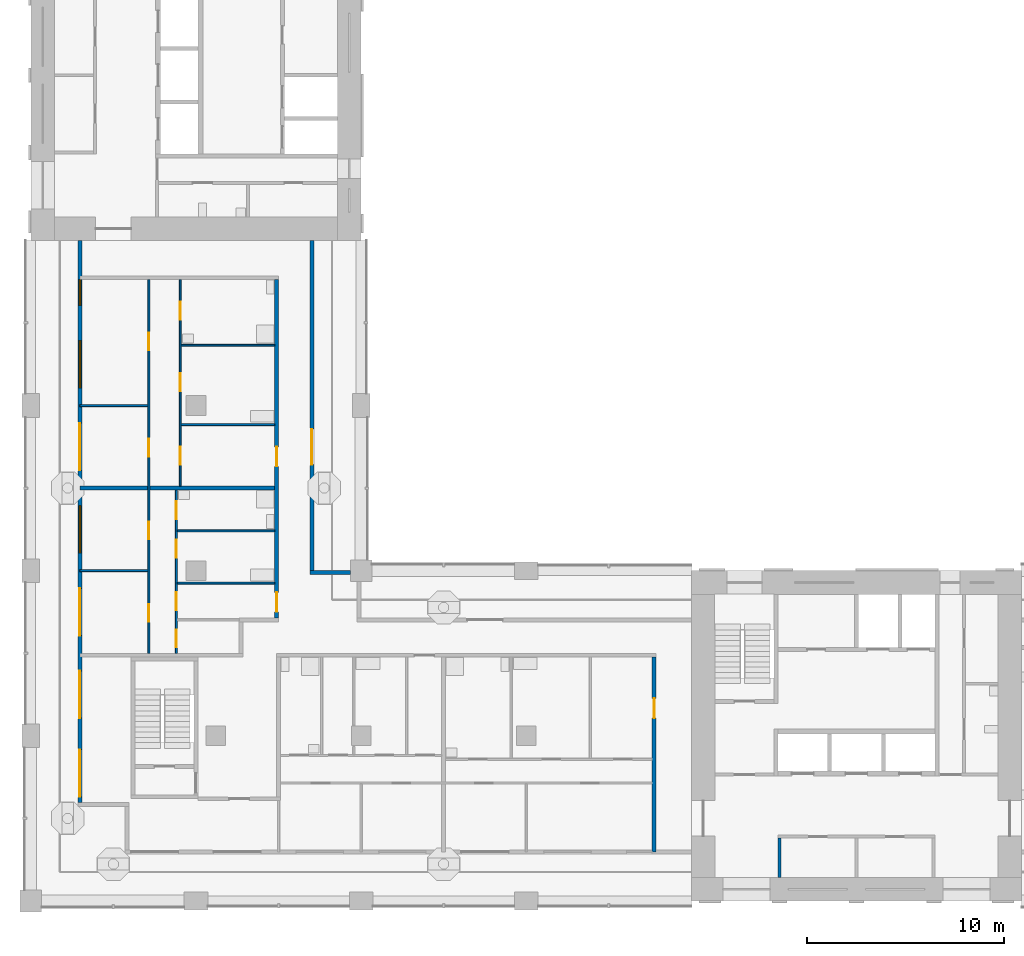
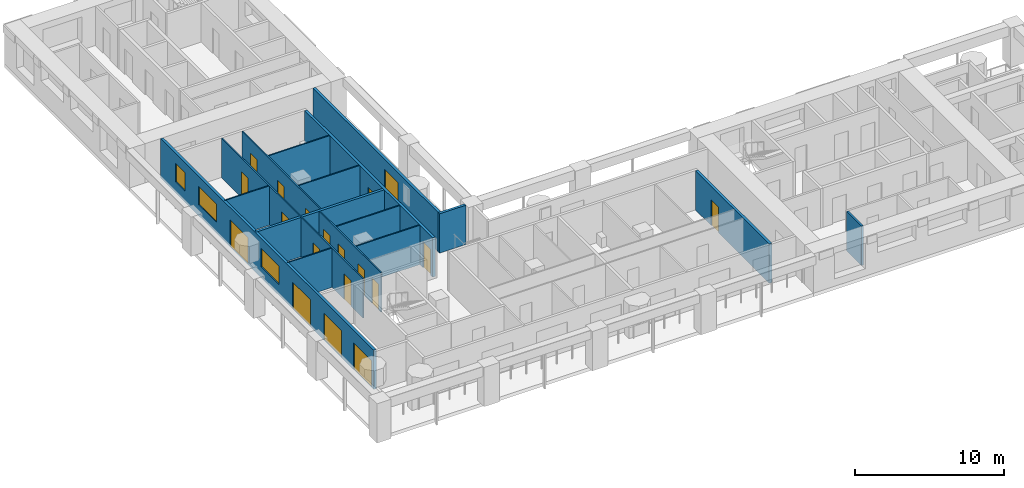
# One storey, part 3 of 13: 19 doors, 16 walls, 3 windows, 22 openings.
"""IFC4 building model written with IfcOpenShell, lengths in metres."""

from ifc_helpers import new_model, si_unit, direction, frame, frame_2d, origin, place, context, subcontext, project, spatial, rectangle, extrude, material, layer, layer_set, type_object, element, fill, save


model = new_model("IFC4")

# Units and contexts
model_context = context("Model", 3, precision=1e-05, world=origin(), true_north=direction((0.0, 1.0)))
body_context = subcontext(model_context, "Body", "Model", "MODEL_VIEW")
ifc_project = project(units=[si_unit("LENGTHUNIT", "METRE"), si_unit("AREAUNIT", "SQUARE_METRE"), si_unit("VOLUMEUNIT", "CUBIC_METRE"), si_unit("PLANEANGLEUNIT", "RADIAN"), si_unit("MASSUNIT", "GRAM", prefix="KILO")], contexts=[model_context])

# Site, building, storey
site_placement = place(None, origin())
site = spatial("IfcSite", under=ifc_project, at=site_placement, CompositionType="ELEMENT")
building_placement = place(site_placement, origin())
building = spatial("IfcBuilding", under=site, at=building_placement, Name="Vermilion Gate Residences", CompositionType="ELEMENT")
storey_placement = place(building_placement, frame((0.0, 0.0, 182.699951171875)))
storey = spatial("IfcBuildingStorey", under=building, at=storey_placement, Name="L47", CompositionType="ELEMENT", Elevation=182.699951171875)

# Wall
ifc_material_1 = material(Name="Masonry blockwork", Category="masonry")
ifc_layer_1 = layer(ifc_material_1, 0.14990234375)
ifc_layer_set_1 = layer_set([ifc_layer_1], Name="BLOCKWORK PARTITION 150 EI 120")
wall_type_1 = type_object("IfcWallType", Name="BLOCKWORK PARTITION 150 EI 120", PredefinedType="PARTITIONING", material=ifc_layer_set_1)
wall_1_placement = place(storey_placement, frame((46.47509765625, 9.60009765625, 0.0), z_axis=(0.0, 0.0, 1.0), x_axis=(0.0, 1.0, 0.0)))
element("IfcWall", 1, at=wall_1_placement, inside=storey, type_object=wall_type_1, Name="Core room partition A47-RW-W", PredefinedType="PARTITIONING", context=body_context, shape_type="SweptSolid", body=[
    extrude(rectangle(XDim=2.0, YDim=0.14990234375, at=frame_2d((1.0, 0.0))), origin(), (0.0, 0.0, 1.0), 3.219970703125),
])

# Wall, openings, doors, windows
ifc_material_2 = material(Name="Insulated steel stud wall with terracotta rainscreen", Category="masonry")
ifc_layer_2 = layer(ifc_material_2, 0.199951171875)
ifc_layer_set_2 = layer_set([ifc_layer_2], Name="EXTERNAL WALL 200 TERRACOTTA RAINSCREEN")
wall_type_2 = type_object("IfcWallType", Name="EXTERNAL WALL 200 TERRACOTTA RAINSCREEN", PredefinedType="SOLIDWALL", material=ifc_layer_set_2)
wall_2_placement = place(storey_placement, frame((10.89990234375, 42.0, 0.0), z_axis=(0.0, 0.0, 1.0), x_axis=(0.0, -1.0, 0.0)))
wall_2 = element("IfcWall", 2, at=wall_2_placement, inside=storey, type_object=wall_type_2, Name="External wall", PredefinedType="SOLIDWALL", context=body_context, shape_type="SweptSolid", body=[
    extrude(rectangle(XDim=28.60009765625, YDim=0.199951171875, at=frame_2d((14.300048828125, 0.0))), origin(), (0.0, 0.0, 1.0), 3.219970703125),
])
opening_1_placement = place(wall_2_placement, frame((25.89990234375, 0.0, 0.0)))
opening_1 = element("IfcOpeningElement", 3, at=opening_1_placement, cuts=wall_2, Name="Opening DE47001", PredefinedType="OPENING", context=body_context, shape_type="SweptSolid", body=[
    extrude(rectangle(XDim=2.39990234375, YDim=2.199951171875, at=frame_2d((1.199951171875, 1.10009765625))), frame((0.0, 0.10986328125, 0.0), z_axis=(0.0, -1.0, 0.0), x_axis=(1.0, 0.0, 0.0)), (0.0, 0.0, 1.0), 0.219970703125),
])
opening_2_placement = place(wall_2_placement, frame((21.89990234375, 0.0, 0.0)))
opening_2 = element("IfcOpeningElement", 4, at=opening_2_placement, cuts=wall_2, Name="Opening DE47002", PredefinedType="OPENING", context=body_context, shape_type="SweptSolid", body=[
    extrude(rectangle(XDim=2.39990234375, YDim=2.199951171875, at=frame_2d((1.199951171875, 1.10009765625))), frame((0.0, 0.10986328125, 0.0), z_axis=(0.0, -1.0, 0.0), x_axis=(1.0, 0.0, 0.0)), (0.0, 0.0, 1.0), 0.219970703125),
])
opening_3_placement = place(wall_2_placement, frame((17.699951171875, 0.0, 0.0)))
opening_3 = element("IfcOpeningElement", 5, at=opening_3_placement, cuts=wall_2, Name="Opening DE47003", PredefinedType="OPENING", context=body_context, shape_type="SweptSolid", body=[
    extrude(rectangle(XDim=2.39990234375, YDim=2.199951171875, at=frame_2d((1.199951171875, 1.10009765625))), frame((0.0, 0.10986328125, 0.0), z_axis=(0.0, -1.0, 0.0), x_axis=(1.0, 0.0, 0.0)), (0.0, 0.0, 1.0), 0.219970703125),
])
opening_4_placement = place(wall_2_placement, frame((13.5, 0.0, 0.89990234375)))
opening_4 = element("IfcOpeningElement", 6, at=opening_4_placement, cuts=wall_2, Name="Opening WE47004", PredefinedType="OPENING", context=body_context, shape_type="SweptSolid", body=[
    extrude(rectangle(XDim=2.39990234375, YDim=1.5, at=frame_2d((1.199951171875, 0.75))), frame((0.0, 0.10986328125, 0.0), z_axis=(0.0, -1.0, 0.0), x_axis=(1.0, 0.0, 0.0)), (0.0, 0.0, 1.0), 0.219970703125),
])
opening_5_placement = place(wall_2_placement, frame((9.300048828125, 0.0, 0.0)))
opening_5 = element("IfcOpeningElement", 7, at=opening_5_placement, cuts=wall_2, Name="Opening DE47005", PredefinedType="OPENING", context=body_context, shape_type="SweptSolid", body=[
    extrude(rectangle(XDim=2.39990234375, YDim=2.199951171875, at=frame_2d((1.199951171875, 1.10009765625))), frame((0.0, 0.10986328125, 0.0), z_axis=(0.0, -1.0, 0.0), x_axis=(1.0, 0.0, 0.0)), (0.0, 0.0, 1.0), 0.219970703125),
])
opening_6_placement = place(wall_2_placement, frame((5.10009765625, 0.0, 0.89990234375)))
opening_6 = element("IfcOpeningElement", 8, at=opening_6_placement, cuts=wall_2, Name="Opening WE47006", PredefinedType="OPENING", context=body_context, shape_type="SweptSolid", body=[
    extrude(rectangle(XDim=2.39990234375, YDim=1.5, at=frame_2d((1.199951171875, 0.75))), frame((0.0, 0.10986328125, 0.0), z_axis=(0.0, -1.0, 0.0), x_axis=(1.0, 0.0, 0.0)), (0.0, 0.0, 1.0), 0.219970703125),
])
opening_7_placement = place(wall_2_placement, frame((2.0, 0.0, 0.89990234375)))
opening_7 = element("IfcOpeningElement", 9, at=opening_7_placement, cuts=wall_2, Name="Opening WE47007", PredefinedType="OPENING", context=body_context, shape_type="SweptSolid", body=[
    extrude(rectangle(XDim=1.300048828125, YDim=1.5, at=frame_2d((0.64990234375, 0.75))), frame((0.0, 0.10986328125, 0.0), z_axis=(0.0, -1.0, 0.0), x_axis=(1.0, 0.0, 0.0)), (0.0, 0.0, 1.0), 0.219970703125),
])
ifc_material_3 = material(Name="Aluminium and clear glass", Category="aluminium")
door_type_1 = type_object("IfcDoorType", Name="SLIDING GLAZED DOOR 2400 X 2200", OperationType="DOUBLE_DOOR_SLIDING", PredefinedType="DOOR", material=ifc_material_3)
door_1_placement = place(opening_1_placement, origin())
door_1 = element("IfcDoor", 10, at=door_1_placement, inside=storey, type_object=door_type_1, Name="Loggia sliding door", OperationType="DOUBLE_DOOR_SLIDING", OverallHeight=2.199951171875, OverallWidth=2.39990234375, PredefinedType="DOOR", context=body_context, shape_type="SweptSolid", body=[
    extrude(rectangle(XDim=2.39990234375, YDim=2.199951171875, at=frame_2d((1.199951171875, 1.10009765625))), frame((0.0, 0.02490234375, 0.0), z_axis=(0.0, -1.0, 0.0), x_axis=(1.0, 0.0, 0.0)), (0.0, 0.0, 1.0), 0.050048828125),
])
fill(opening_1, door_1)
door_2_placement = place(opening_2_placement, origin())
door_2 = element("IfcDoor", 11, at=door_2_placement, inside=storey, type_object=door_type_1, Name="Loggia sliding door", OperationType="DOUBLE_DOOR_SLIDING", OverallHeight=2.199951171875, OverallWidth=2.39990234375, PredefinedType="DOOR", context=body_context, shape_type="SweptSolid", body=[
    extrude(rectangle(XDim=2.39990234375, YDim=2.199951171875, at=frame_2d((1.199951171875, 1.10009765625))), frame((0.0, 0.02490234375, 0.0), z_axis=(0.0, -1.0, 0.0), x_axis=(1.0, 0.0, 0.0)), (0.0, 0.0, 1.0), 0.050048828125),
])
fill(opening_2, door_2)
door_3_placement = place(opening_3_placement, origin())
door_3 = element("IfcDoor", 12, at=door_3_placement, inside=storey, type_object=door_type_1, Name="Loggia sliding door", OperationType="DOUBLE_DOOR_SLIDING", OverallHeight=2.199951171875, OverallWidth=2.39990234375, PredefinedType="DOOR", context=body_context, shape_type="SweptSolid", body=[
    extrude(rectangle(XDim=2.39990234375, YDim=2.199951171875, at=frame_2d((1.199951171875, 1.10009765625))), frame((0.0, 0.02490234375, 0.0), z_axis=(0.0, -1.0, 0.0), x_axis=(1.0, 0.0, 0.0)), (0.0, 0.0, 1.0), 0.050048828125),
])
fill(opening_3, door_3)
door_4_placement = place(opening_5_placement, origin())
door_4 = element("IfcDoor", 13, at=door_4_placement, inside=storey, type_object=door_type_1, Name="Loggia sliding door", OperationType="DOUBLE_DOOR_SLIDING", OverallHeight=2.199951171875, OverallWidth=2.39990234375, PredefinedType="DOOR", context=body_context, shape_type="SweptSolid", body=[
    extrude(rectangle(XDim=2.39990234375, YDim=2.199951171875, at=frame_2d((1.199951171875, 1.10009765625))), frame((0.0, 0.02490234375, 0.0), z_axis=(0.0, -1.0, 0.0), x_axis=(1.0, 0.0, 0.0)), (0.0, 0.0, 1.0), 0.050048828125),
])
fill(opening_5, door_4)
ifc_material_4 = material(Name="Aluminium and clear glass", Category="aluminium")
window_type_1 = type_object("IfcWindowType", Name="WINDOW 1300 X 1500", PartitioningType="SINGLE_PANEL", PredefinedType="WINDOW", material=ifc_material_4)
window_1_placement = place(opening_7_placement, origin())
window_1 = element("IfcWindow", 14, at=window_1_placement, inside=storey, type_object=window_type_1, Name="Window", OverallHeight=1.5, OverallWidth=1.300048828125, PartitioningType="SINGLE_PANEL", PredefinedType="WINDOW", context=body_context, shape_type="SweptSolid", body=[
    extrude(rectangle(XDim=1.300048828125, YDim=1.5, at=frame_2d((0.64990234375, 0.75))), frame((0.0, 0.030029296875, 0.0), z_axis=(0.0, -1.0, 0.0), x_axis=(1.0, 0.0, 0.0)), (0.0, 0.0, 1.0), 0.06005859375),
])
fill(opening_7, window_1)
ifc_material_5 = material(Name="Aluminium and clear glass", Category="aluminium")
window_type_2 = type_object("IfcWindowType", Name="WINDOW 2400 X 1500", PartitioningType="SINGLE_PANEL", PredefinedType="WINDOW", material=ifc_material_5)
window_2_placement = place(opening_4_placement, origin())
window_2 = element("IfcWindow", 15, at=window_2_placement, inside=storey, type_object=window_type_2, Name="Window", OverallHeight=1.5, OverallWidth=2.39990234375, PartitioningType="SINGLE_PANEL", PredefinedType="WINDOW", context=body_context, shape_type="SweptSolid", body=[
    extrude(rectangle(XDim=2.39990234375, YDim=1.5, at=frame_2d((1.199951171875, 0.75))), frame((0.0, 0.030029296875, 0.0), z_axis=(0.0, -1.0, 0.0), x_axis=(1.0, 0.0, 0.0)), (0.0, 0.0, 1.0), 0.06005859375),
])
fill(opening_4, window_2)
window_3_placement = place(opening_6_placement, origin())
window_3 = element("IfcWindow", 16, at=window_3_placement, inside=storey, type_object=window_type_2, Name="Window", OverallHeight=1.5, OverallWidth=2.39990234375, PartitioningType="SINGLE_PANEL", PredefinedType="WINDOW", context=body_context, shape_type="SweptSolid", body=[
    extrude(rectangle(XDim=2.39990234375, YDim=1.5, at=frame_2d((1.199951171875, 0.75))), frame((0.0, 0.030029296875, 0.0), z_axis=(0.0, -1.0, 0.0), x_axis=(1.0, 0.0, 0.0)), (0.0, 0.0, 1.0), 0.06005859375),
])
fill(opening_6, window_3)

# Wall
wall_3_placement = place(storey_placement, frame((24.64990234375, 25.10009765625, 0.0), z_axis=(0.0, 0.0, 1.0), x_axis=(-1.0, 0.0, 0.0)))
element("IfcWall", 17, at=wall_3_placement, inside=storey, type_object=wall_type_2, Name="External wall", PredefinedType="SOLIDWALL", context=body_context, shape_type="SweptSolid", body=[
    extrude(rectangle(XDim=2.0498046875, YDim=0.199951171875, at=frame_2d((1.02490234375, 0.0))), origin(), (0.0, 0.0, 1.0), 3.219970703125),
])

# Wall, opening, door
wall_4_placement = place(storey_placement, frame((22.699951171875, 25.199951171875, 0.0), z_axis=(0.0, 0.0, 1.0), x_axis=(0.0, 1.0, 0.0)))
wall_4 = element("IfcWall", 18, at=wall_4_placement, inside=storey, type_object=wall_type_2, Name="External wall", PredefinedType="SOLIDWALL", context=body_context, shape_type="SweptSolid", body=[
    extrude(rectangle(XDim=16.800048828125, YDim=0.199951171875, at=frame_2d((8.39990234375, 0.0))), origin(), (0.0, 0.0, 1.0), 3.219970703125),
])
opening_8_placement = place(wall_4_placement, frame((5.39990234375, 0.0, 0.0)))
opening_8 = element("IfcOpeningElement", 19, at=opening_8_placement, cuts=wall_4, Name="Opening DE47021", PredefinedType="OPENING", context=body_context, shape_type="SweptSolid", body=[
    extrude(rectangle(XDim=1.800048828125, YDim=2.39990234375, at=frame_2d((0.89990234375, 1.199951171875))), frame((0.0, 0.10986328125, 0.0), z_axis=(0.0, -1.0, 0.0), x_axis=(1.0, 0.0, 0.0)), (0.0, 0.0, 1.0), 0.219970703125),
])
ifc_material_6 = material(Name="Aluminium and clear glass", Category="aluminium")
door_type_2 = type_object("IfcDoorType", Name="GLAZED EXTERNAL DOOR 1800 X 2400", OperationType="DOUBLE_DOOR_SINGLE_SWING", PredefinedType="DOOR", material=ifc_material_6)
door_5_placement = place(opening_8_placement, frame((1.800048828125, 0.0, 0.0), z_axis=(0.0, 0.0, 1.0), x_axis=(-1.0, 0.0, 0.0)))
door_5 = element("IfcDoor", 20, at=door_5_placement, inside=storey, type_object=door_type_2, Name="Gallery door", OperationType="DOUBLE_DOOR_SINGLE_SWING", OverallHeight=2.39990234375, OverallWidth=1.800048828125, PredefinedType="DOOR", context=body_context, shape_type="SweptSolid", body=[
    extrude(rectangle(XDim=1.800048828125, YDim=2.39990234375, at=frame_2d((0.89990234375, 1.199951171875))), frame((0.0, 0.02490234375, 0.0), z_axis=(0.0, -1.0, 0.0), x_axis=(1.0, 0.0, 0.0)), (0.0, 0.0, 1.0), 0.050048828125),
])
fill(opening_8, door_5)

# Walls
ifc_material_7 = material(Name="Plasterboard on steel studs", Category="steel")
ifc_layer_3 = layer(ifc_material_7, 0.10009765625)
ifc_layer_set_3 = layer_set([ifc_layer_3], Name="PARTITION 100")
wall_type_3 = type_object("IfcWallType", Name="PARTITION 100", PredefinedType="PARTITIONING", material=ifc_layer_set_3)
wall_5_placement = place(storey_placement, frame((15.85009765625, 24.56298828125, 0.0), z_axis=(0.0, 0.0, 1.0), x_axis=(1.0, 0.0, 0.0)))
element("IfcWall", 21, at=wall_5_placement, inside=storey, type_object=wall_type_3, Name="Partition", PredefinedType="PARTITIONING", context=body_context, shape_type="SweptSolid", body=[
    extrude(rectangle(XDim=4.949951171875, YDim=0.10009765625, at=frame_2d((2.47509765625, 0.0))), origin(), (0.0, 0.0, 1.0), 3.219970703125),
])
wall_6_placement = place(storey_placement, frame((10.89990234375, 25.199951171875, 0.0), z_axis=(0.0, 0.0, 1.0), x_axis=(1.0, 0.0, 0.0)))
element("IfcWall", 22, at=wall_6_placement, inside=storey, type_object=wall_type_3, Name="Partition", PredefinedType="PARTITIONING", context=body_context, shape_type="SweptSolid", body=[
    extrude(rectangle(XDim=3.4501953125, YDim=0.10009765625, at=frame_2d((1.72509765625, 0.0))), origin(), (0.0, 0.0, 1.0), 3.219970703125),
])
wall_7_placement = place(storey_placement, frame((15.85009765625, 27.22509765625, 0.0), z_axis=(0.0, 0.0, 1.0), x_axis=(1.0, 0.0, 0.0)))
element("IfcWall", 23, at=wall_7_placement, inside=storey, type_object=wall_type_3, Name="Partition", PredefinedType="PARTITIONING", context=body_context, shape_type="SweptSolid", body=[
    extrude(rectangle(XDim=4.949951171875, YDim=0.10009765625, at=frame_2d((2.47509765625, 0.0))), origin(), (0.0, 0.0, 1.0), 3.219970703125),
])
wall_8_placement = place(storey_placement, frame((16.050048828125, 32.633056640625, 0.0), z_axis=(0.0, 0.0, 1.0), x_axis=(1.0, 0.0, 0.0)))
element("IfcWall", 24, at=wall_8_placement, inside=storey, type_object=wall_type_3, Name="Partition", PredefinedType="PARTITIONING", context=body_context, shape_type="SweptSolid", body=[
    extrude(rectangle(XDim=4.75, YDim=0.10009765625, at=frame_2d((2.375, 0.0))), origin(), (0.0, 0.0, 1.0), 3.219970703125),
])
wall_9_placement = place(storey_placement, frame((10.89990234375, 33.60009765625, 0.0), z_axis=(0.0, 0.0, 1.0), x_axis=(1.0, 0.0, 0.0)))
element("IfcWall", 25, at=wall_9_placement, inside=storey, type_object=wall_type_3, Name="Partition", PredefinedType="PARTITIONING", context=body_context, shape_type="SweptSolid", body=[
    extrude(rectangle(XDim=3.4501953125, YDim=0.10009765625, at=frame_2d((1.72509765625, 0.0))), origin(), (0.0, 0.0, 1.0), 3.219970703125),
])
wall_10_placement = place(storey_placement, frame((16.050048828125, 36.6669921875, 0.0), z_axis=(0.0, 0.0, 1.0), x_axis=(1.0, 0.0, 0.0)))
element("IfcWall", 26, at=wall_10_placement, inside=storey, type_object=wall_type_3, Name="Partition", PredefinedType="PARTITIONING", context=body_context, shape_type="SweptSolid", body=[
    extrude(rectangle(XDim=4.75, YDim=0.10009765625, at=frame_2d((2.375, 0.0))), origin(), (0.0, 0.0, 1.0), 3.219970703125),
])

# Wall, openings, doors
wall_11_placement = place(storey_placement, frame((14.39990234375, 21.0, 0.0), z_axis=(0.0, 0.0, 1.0), x_axis=(0.0, 1.0, 0.0)))
wall_11 = element("IfcWall", 27, at=wall_11_placement, inside=storey, type_object=wall_type_3, Name="Partition", PredefinedType="PARTITIONING", context=body_context, shape_type="SweptSolid", body=[
    extrude(rectangle(XDim=19.0, YDim=0.10009765625, at=frame_2d((9.5, 0.0))), origin(), (0.0, 0.0, 1.0), 3.219970703125),
])
opening_9_placement = place(wall_11_placement, frame((1.60009765625, 0.0, 0.0)))
opening_9 = element("IfcOpeningElement", 28, at=opening_9_placement, cuts=wall_11, Name="Opening DA46014", PredefinedType="OPENING", context=body_context, shape_type="SweptSolid", body=[
    extrude(rectangle(XDim=0.89990234375, YDim=2.10009765625, at=frame_2d((0.449951171875, 1.050048828125))), frame((0.0, 0.06005859375, 0.0), z_axis=(0.0, -1.0, 0.0), x_axis=(1.0, 0.0, 0.0)), (0.0, 0.0, 1.0), 0.1201171875),
])
opening_10_placement = place(wall_11_placement, frame((5.800048828125, 0.0, 0.0)))
opening_10 = element("IfcOpeningElement", 29, at=opening_10_placement, cuts=wall_11, Name="Opening DA46015", PredefinedType="OPENING", context=body_context, shape_type="SweptSolid", body=[
    extrude(rectangle(XDim=0.89990234375, YDim=2.10009765625, at=frame_2d((0.449951171875, 1.050048828125))), frame((0.0, 0.06005859375, 0.0), z_axis=(0.0, -1.0, 0.0), x_axis=(1.0, 0.0, 0.0)), (0.0, 0.0, 1.0), 0.1201171875),
])
opening_11_placement = place(wall_11_placement, frame((10.0, 0.0, 0.0)))
opening_11 = element("IfcOpeningElement", 30, at=opening_11_placement, cuts=wall_11, Name="Opening DA46016", PredefinedType="OPENING", context=body_context, shape_type="SweptSolid", body=[
    extrude(rectangle(XDim=0.89990234375, YDim=2.10009765625, at=frame_2d((0.449951171875, 1.050048828125))), frame((0.0, 0.06005859375, 0.0), z_axis=(0.0, -1.0, 0.0), x_axis=(1.0, 0.0, 0.0)), (0.0, 0.0, 1.0), 0.1201171875),
])
opening_12_placement = place(wall_11_placement, frame((15.39990234375, 0.0, 0.0)))
opening_12 = element("IfcOpeningElement", 31, at=opening_12_placement, cuts=wall_11, Name="Opening DA46017", PredefinedType="OPENING", context=body_context, shape_type="SweptSolid", body=[
    extrude(rectangle(XDim=0.89990234375, YDim=2.10009765625, at=frame_2d((0.449951171875, 1.050048828125))), frame((0.0, 0.06005859375, 0.0), z_axis=(0.0, -1.0, 0.0), x_axis=(1.0, 0.0, 0.0)), (0.0, 0.0, 1.0), 0.1201171875),
])
ifc_material_8 = material(Name="Timber", Category="wood")
door_type_3 = type_object("IfcDoorType", Name="INTERIOR DOOR 900 X 2100", OperationType="SINGLE_SWING_LEFT", PredefinedType="DOOR", material=ifc_material_8)
door_6_placement = place(opening_9_placement, origin())
door_6 = element("IfcDoor", 32, at=door_6_placement, inside=storey, type_object=door_type_3, Name="Interior door", OperationType="SINGLE_SWING_LEFT", OverallHeight=2.10009765625, OverallWidth=0.89990234375, PredefinedType="DOOR", context=body_context, shape_type="SweptSolid", body=[
    extrude(rectangle(XDim=0.89990234375, YDim=2.10009765625, at=frame_2d((0.449951171875, 1.050048828125))), frame((0.0, 0.02490234375, 0.0), z_axis=(0.0, -1.0, 0.0), x_axis=(1.0, 0.0, 0.0)), (0.0, 0.0, 1.0), 0.050048828125),
])
fill(opening_9, door_6)
door_7_placement = place(opening_10_placement, origin())
door_7 = element("IfcDoor", 33, at=door_7_placement, inside=storey, type_object=door_type_3, Name="Interior door", OperationType="SINGLE_SWING_LEFT", OverallHeight=2.10009765625, OverallWidth=0.89990234375, PredefinedType="DOOR", context=body_context, shape_type="SweptSolid", body=[
    extrude(rectangle(XDim=0.89990234375, YDim=2.10009765625, at=frame_2d((0.449951171875, 1.050048828125))), frame((0.0, 0.02490234375, 0.0), z_axis=(0.0, -1.0, 0.0), x_axis=(1.0, 0.0, 0.0)), (0.0, 0.0, 1.0), 0.050048828125),
])
fill(opening_10, door_7)
door_8_placement = place(opening_11_placement, origin())
door_8 = element("IfcDoor", 34, at=door_8_placement, inside=storey, type_object=door_type_3, Name="Interior door", OperationType="SINGLE_SWING_LEFT", OverallHeight=2.10009765625, OverallWidth=0.89990234375, PredefinedType="DOOR", context=body_context, shape_type="SweptSolid", body=[
    extrude(rectangle(XDim=0.89990234375, YDim=2.10009765625, at=frame_2d((0.449951171875, 1.050048828125))), frame((0.0, 0.02490234375, 0.0), z_axis=(0.0, -1.0, 0.0), x_axis=(1.0, 0.0, 0.0)), (0.0, 0.0, 1.0), 0.050048828125),
])
fill(opening_11, door_8)
door_9_placement = place(opening_12_placement, origin())
door_9 = element("IfcDoor", 35, at=door_9_placement, inside=storey, type_object=door_type_3, Name="Interior door", OperationType="SINGLE_SWING_RIGHT", OverallHeight=2.10009765625, OverallWidth=0.89990234375, PredefinedType="DOOR", context=body_context, shape_type="SweptSolid", body=[
    extrude(rectangle(XDim=0.89990234375, YDim=2.10009765625, at=frame_2d((0.449951171875, 1.050048828125))), frame((0.0, 0.02490234375, 0.0), z_axis=(0.0, -1.0, 0.0), x_axis=(1.0, 0.0, 0.0)), (0.0, 0.0, 1.0), 0.050048828125),
])
fill(opening_12, door_9)

wall_12_placement = place(storey_placement, frame((15.800048828125, 21.0, 0.0), z_axis=(0.0, 0.0, 1.0), x_axis=(0.0, 1.0, 0.0)))
wall_12 = element("IfcWall", 36, at=wall_12_placement, inside=storey, type_object=wall_type_3, Name="Partition", PredefinedType="PARTITIONING", context=body_context, shape_type="SweptSolid", body=[
    extrude(rectangle(XDim=8.300048828125, YDim=0.10009765625, at=frame_2d((4.14990234375, 0.0))), origin(), (0.0, 0.0, 1.0), 3.219970703125),
])
opening_13_placement = place(wall_12_placement, frame((2.199951171875, 0.0, 0.0)))
opening_13 = element("IfcOpeningElement", 37, at=opening_13_placement, cuts=wall_12, Name="Opening DA46018", PredefinedType="OPENING", context=body_context, shape_type="SweptSolid", body=[
    extrude(rectangle(XDim=0.89990234375, YDim=2.10009765625, at=frame_2d((0.449951171875, 1.050048828125))), frame((0.0, 0.06005859375, 0.0), z_axis=(0.0, -1.0, 0.0), x_axis=(1.0, 0.0, 0.0)), (0.0, 0.0, 1.0), 0.1201171875),
])
opening_14_placement = place(wall_12_placement, frame((0.300048828125, 0.0, 0.0)))
opening_14 = element("IfcOpeningElement", 38, at=opening_14_placement, cuts=wall_12, Name="Opening DA46019", PredefinedType="OPENING", context=body_context, shape_type="SweptSolid", body=[
    extrude(rectangle(XDim=0.89990234375, YDim=2.10009765625, at=frame_2d((0.449951171875, 1.050048828125))), frame((0.0, 0.06005859375, 0.0), z_axis=(0.0, -1.0, 0.0), x_axis=(1.0, 0.0, 0.0)), (0.0, 0.0, 1.0), 0.1201171875),
])
opening_15_placement = place(wall_12_placement, frame((4.863037109375, 0.0, 0.0)))
opening_15 = element("IfcOpeningElement", 39, at=opening_15_placement, cuts=wall_12, Name="Opening DA46020", PredefinedType="OPENING", context=body_context, shape_type="SweptSolid", body=[
    extrude(rectangle(XDim=0.89990234375, YDim=2.10009765625, at=frame_2d((0.449951171875, 1.050048828125))), frame((0.0, 0.06005859375, 0.0), z_axis=(0.0, -1.0, 0.0), x_axis=(1.0, 0.0, 0.0)), (0.0, 0.0, 1.0), 0.1201171875),
])
opening_16_placement = place(wall_12_placement, frame((6.824951171875, 0.0, 0.0)))
opening_16 = element("IfcOpeningElement", 40, at=opening_16_placement, cuts=wall_12, Name="Opening DA46021", PredefinedType="OPENING", context=body_context, shape_type="SweptSolid", body=[
    extrude(rectangle(XDim=0.89990234375, YDim=2.10009765625, at=frame_2d((0.449951171875, 1.050048828125))), frame((0.0, 0.06005859375, 0.0), z_axis=(0.0, -1.0, 0.0), x_axis=(1.0, 0.0, 0.0)), (0.0, 0.0, 1.0), 0.1201171875),
])
door_10_placement = place(opening_13_placement, frame((0.89990234375, 0.0, 0.0), z_axis=(0.0, 0.0, 1.0), x_axis=(-1.0, 0.0, 0.0)))
door_10 = element("IfcDoor", 41, at=door_10_placement, inside=storey, type_object=door_type_3, Name="Interior door", OperationType="SINGLE_SWING_LEFT", OverallHeight=2.10009765625, OverallWidth=0.89990234375, PredefinedType="DOOR", context=body_context, shape_type="SweptSolid", body=[
    extrude(rectangle(XDim=0.89990234375, YDim=2.10009765625, at=frame_2d((0.449951171875, 1.050048828125))), frame((0.0, 0.02490234375, 0.0), z_axis=(0.0, -1.0, 0.0), x_axis=(1.0, 0.0, 0.0)), (0.0, 0.0, 1.0), 0.050048828125),
])
fill(opening_13, door_10)
door_11_placement = place(opening_14_placement, frame((0.89990234375, 0.0, 0.0), z_axis=(0.0, 0.0, 1.0), x_axis=(-1.0, 0.0, 0.0)))
door_11 = element("IfcDoor", 42, at=door_11_placement, inside=storey, type_object=door_type_3, Name="Interior door", OperationType="SINGLE_SWING_RIGHT", OverallHeight=2.10009765625, OverallWidth=0.89990234375, PredefinedType="DOOR", context=body_context, shape_type="SweptSolid", body=[
    extrude(rectangle(XDim=0.89990234375, YDim=2.10009765625, at=frame_2d((0.449951171875, 1.050048828125))), frame((0.0, 0.02490234375, 0.0), z_axis=(0.0, -1.0, 0.0), x_axis=(1.0, 0.0, 0.0)), (0.0, 0.0, 1.0), 0.050048828125),
])
fill(opening_14, door_11)
door_12_placement = place(opening_15_placement, frame((0.89990234375, 0.0, 0.0), z_axis=(0.0, 0.0, 1.0), x_axis=(-1.0, 0.0, 0.0)))
door_12 = element("IfcDoor", 43, at=door_12_placement, inside=storey, type_object=door_type_3, Name="Interior door", OperationType="SINGLE_SWING_LEFT", OverallHeight=2.10009765625, OverallWidth=0.89990234375, PredefinedType="DOOR", context=body_context, shape_type="SweptSolid", body=[
    extrude(rectangle(XDim=0.89990234375, YDim=2.10009765625, at=frame_2d((0.449951171875, 1.050048828125))), frame((0.0, 0.02490234375, 0.0), z_axis=(0.0, -1.0, 0.0), x_axis=(1.0, 0.0, 0.0)), (0.0, 0.0, 1.0), 0.050048828125),
])
fill(opening_15, door_12)
door_13_placement = place(opening_16_placement, frame((0.89990234375, 0.0, 0.0), z_axis=(0.0, 0.0, 1.0), x_axis=(-1.0, 0.0, 0.0)))
door_13 = element("IfcDoor", 44, at=door_13_placement, inside=storey, type_object=door_type_3, Name="Interior door", OperationType="SINGLE_SWING_LEFT", OverallHeight=2.10009765625, OverallWidth=0.89990234375, PredefinedType="DOOR", context=body_context, shape_type="SweptSolid", body=[
    extrude(rectangle(XDim=0.89990234375, YDim=2.10009765625, at=frame_2d((0.449951171875, 1.050048828125))), frame((0.0, 0.02490234375, 0.0), z_axis=(0.0, -1.0, 0.0), x_axis=(1.0, 0.0, 0.0)), (0.0, 0.0, 1.0), 0.050048828125),
])
fill(opening_16, door_13)

wall_13_placement = place(storey_placement, frame((16.0, 29.5, 0.0), z_axis=(0.0, 0.0, 1.0), x_axis=(0.0, 1.0, 0.0)))
wall_13 = element("IfcWall", 45, at=wall_13_placement, inside=storey, type_object=wall_type_3, Name="Partition", PredefinedType="PARTITIONING", context=body_context, shape_type="SweptSolid", body=[
    extrude(rectangle(XDim=10.5, YDim=0.10009765625, at=frame_2d((5.25, 0.0))), origin(), (0.0, 0.0, 1.0), 3.219970703125),
])
opening_17_placement = place(wall_13_placement, frame((1.10009765625, 0.0, 0.0)))
opening_17 = element("IfcOpeningElement", 46, at=opening_17_placement, cuts=wall_13, Name="Opening DA46022", PredefinedType="OPENING", context=body_context, shape_type="SweptSolid", body=[
    extrude(rectangle(XDim=0.89990234375, YDim=2.10009765625, at=frame_2d((0.449951171875, 1.050048828125))), frame((0.0, 0.06005859375, 0.0), z_axis=(0.0, -1.0, 0.0), x_axis=(1.0, 0.0, 0.0)), (0.0, 0.0, 1.0), 0.1201171875),
])
opening_18_placement = place(wall_13_placement, frame((4.8330078125, 0.0, 0.0)))
opening_18 = element("IfcOpeningElement", 47, at=opening_18_placement, cuts=wall_13, Name="Opening DA46023", PredefinedType="OPENING", context=body_context, shape_type="SweptSolid", body=[
    extrude(rectangle(XDim=0.89990234375, YDim=2.10009765625, at=frame_2d((0.449951171875, 1.050048828125))), frame((0.0, 0.06005859375, 0.0), z_axis=(0.0, -1.0, 0.0), x_axis=(1.0, 0.0, 0.0)), (0.0, 0.0, 1.0), 0.1201171875),
])
opening_19_placement = place(wall_13_placement, frame((8.467041015625, 0.0, 0.0)))
opening_19 = element("IfcOpeningElement", 48, at=opening_19_placement, cuts=wall_13, Name="Opening DA46024", PredefinedType="OPENING", context=body_context, shape_type="SweptSolid", body=[
    extrude(rectangle(XDim=0.89990234375, YDim=2.10009765625, at=frame_2d((0.449951171875, 1.050048828125))), frame((0.0, 0.06005859375, 0.0), z_axis=(0.0, -1.0, 0.0), x_axis=(1.0, 0.0, 0.0)), (0.0, 0.0, 1.0), 0.1201171875),
])
door_14_placement = place(opening_17_placement, frame((0.89990234375, 0.0, 0.0), z_axis=(0.0, 0.0, 1.0), x_axis=(-1.0, 0.0, 0.0)))
door_14 = element("IfcDoor", 49, at=door_14_placement, inside=storey, type_object=door_type_3, Name="Interior door", OperationType="SINGLE_SWING_LEFT", OverallHeight=2.10009765625, OverallWidth=0.89990234375, PredefinedType="DOOR", context=body_context, shape_type="SweptSolid", body=[
    extrude(rectangle(XDim=0.89990234375, YDim=2.10009765625, at=frame_2d((0.449951171875, 1.050048828125))), frame((0.0, 0.02490234375, 0.0), z_axis=(0.0, -1.0, 0.0), x_axis=(1.0, 0.0, 0.0)), (0.0, 0.0, 1.0), 0.050048828125),
])
fill(opening_17, door_14)
door_15_placement = place(opening_18_placement, frame((0.89990234375, 0.0, 0.0), z_axis=(0.0, 0.0, 1.0), x_axis=(-1.0, 0.0, 0.0)))
door_15 = element("IfcDoor", 50, at=door_15_placement, inside=storey, type_object=door_type_3, Name="Interior door", OperationType="SINGLE_SWING_LEFT", OverallHeight=2.10009765625, OverallWidth=0.89990234375, PredefinedType="DOOR", context=body_context, shape_type="SweptSolid", body=[
    extrude(rectangle(XDim=0.89990234375, YDim=2.10009765625, at=frame_2d((0.449951171875, 1.050048828125))), frame((0.0, 0.02490234375, 0.0), z_axis=(0.0, -1.0, 0.0), x_axis=(1.0, 0.0, 0.0)), (0.0, 0.0, 1.0), 0.050048828125),
])
fill(opening_18, door_15)
door_16_placement = place(opening_19_placement, frame((0.89990234375, 0.0, 0.0), z_axis=(0.0, 0.0, 1.0), x_axis=(-1.0, 0.0, 0.0)))
door_16 = element("IfcDoor", 51, at=door_16_placement, inside=storey, type_object=door_type_3, Name="Interior door", OperationType="SINGLE_SWING_RIGHT", OverallHeight=2.10009765625, OverallWidth=0.89990234375, PredefinedType="DOOR", context=body_context, shape_type="SweptSolid", body=[
    extrude(rectangle(XDim=0.89990234375, YDim=2.10009765625, at=frame_2d((0.449951171875, 1.050048828125))), frame((0.0, 0.02490234375, 0.0), z_axis=(0.0, -1.0, 0.0), x_axis=(1.0, 0.0, 0.0)), (0.0, 0.0, 1.0), 0.050048828125),
])
fill(opening_19, door_16)

# Wall
ifc_material_9 = material(Name="Fire-rated plasterboard on steel studs", Category="steel")
ifc_layer_4 = layer(ifc_material_9, 0.199951171875)
ifc_layer_set_4 = layer_set([ifc_layer_4], Name="PARTY WALL 200 EI 120")
wall_type_4 = type_object("IfcWallType", Name="PARTY WALL 200 EI 120", PredefinedType="PARTITIONING", material=ifc_layer_set_4)
wall_14_placement = place(storey_placement, frame((10.89990234375, 29.39990234375, 0.0), z_axis=(0.0, 0.0, 1.0), x_axis=(1.0, 0.0, 0.0)))
element("IfcWall", 52, at=wall_14_placement, inside=storey, type_object=wall_type_4, Name="Party and corridor wall", PredefinedType="PARTITIONING", context=body_context, shape_type="SweptSolid", body=[
    extrude(rectangle(XDim=9.900146484375, YDim=0.199951171875, at=frame_2d((4.9501953125, 0.0))), origin(), (0.0, 0.0, 1.0), 3.219970703125),
])

# Wall, openings, doors
wall_15_placement = place(storey_placement, frame((20.89990234375, 22.800048828125, 0.0), z_axis=(0.0, 0.0, 1.0), x_axis=(0.0, 1.0, 0.0)))
wall_15 = element("IfcWall", 53, at=wall_15_placement, inside=storey, type_object=wall_type_4, Name="Party and corridor wall", PredefinedType="PARTITIONING", context=body_context, shape_type="SweptSolid", body=[
    extrude(rectangle(XDim=17.199951171875, YDim=0.199951171875, at=frame_2d((8.60009765625, 0.0))), origin(), (0.0, 0.0, 1.0), 3.219970703125),
])
opening_20_placement = place(wall_15_placement, frame((0.300048828125, 0.0, 0.0)))
opening_20 = element("IfcOpeningElement", 54, at=opening_20_placement, cuts=wall_15, Name="Opening DA46025", PredefinedType="OPENING", context=body_context, shape_type="SweptSolid", body=[
    extrude(rectangle(XDim=1.0, YDim=2.10009765625, at=frame_2d((0.5, 1.050048828125))), frame((0.0, 0.10986328125, 0.0), z_axis=(0.0, -1.0, 0.0), x_axis=(1.0, 0.0, 0.0)), (0.0, 0.0, 1.0), 0.219970703125),
])
opening_21_placement = place(wall_15_placement, frame((7.699951171875, 0.0, 0.0)))
opening_21 = element("IfcOpeningElement", 55, at=opening_21_placement, cuts=wall_15, Name="Opening DA46026", PredefinedType="OPENING", context=body_context, shape_type="SweptSolid", body=[
    extrude(rectangle(XDim=1.0, YDim=2.10009765625, at=frame_2d((0.5, 1.050048828125))), frame((0.0, 0.10986328125, 0.0), z_axis=(0.0, -1.0, 0.0), x_axis=(1.0, 0.0, 0.0)), (0.0, 0.0, 1.0), 0.219970703125),
])
ifc_material_10 = material(Name="Steel", Category="steel")
door_type_4 = type_object("IfcDoorType", Name="ENTRANCE DOOR 1000 X 2100 FD30", OperationType="SINGLE_SWING_LEFT", PredefinedType="DOOR", material=ifc_material_10)
door_17_placement = place(opening_20_placement, origin())
door_17 = element("IfcDoor", 56, at=door_17_placement, inside=storey, type_object=door_type_4, Name="Entrance door", OperationType="SINGLE_SWING_LEFT", OverallHeight=2.10009765625, OverallWidth=1.0, PredefinedType="DOOR", context=body_context, shape_type="SweptSolid", body=[
    extrude(rectangle(XDim=1.0, YDim=2.10009765625, at=frame_2d((0.5, 1.050048828125))), frame((0.0, 0.02490234375, 0.0), z_axis=(0.0, -1.0, 0.0), x_axis=(1.0, 0.0, 0.0)), (0.0, 0.0, 1.0), 0.050048828125),
])
fill(opening_20, door_17)
door_18_placement = place(opening_21_placement, origin())
door_18 = element("IfcDoor", 57, at=door_18_placement, inside=storey, type_object=door_type_4, Name="Entrance door", OperationType="SINGLE_SWING_LEFT", OverallHeight=2.10009765625, OverallWidth=1.0, PredefinedType="DOOR", context=body_context, shape_type="SweptSolid", body=[
    extrude(rectangle(XDim=1.0, YDim=2.10009765625, at=frame_2d((0.5, 1.050048828125))), frame((0.0, 0.02490234375, 0.0), z_axis=(0.0, -1.0, 0.0), x_axis=(1.0, 0.0, 0.0)), (0.0, 0.0, 1.0), 0.050048828125),
])
fill(opening_21, door_18)

# Wall, opening, door
wall_16_placement = place(storey_placement, frame((40.10009765625, 10.89990234375, 0.0), z_axis=(0.0, 0.0, 1.0), x_axis=(0.0, 1.0, 0.0)))
wall_16 = element("IfcWall", 58, at=wall_16_placement, inside=storey, type_object=wall_type_4, Name="Party and corridor wall", PredefinedType="PARTITIONING", context=body_context, shape_type="SweptSolid", body=[
    extrude(rectangle(XDim=9.900146484375, YDim=0.199951171875, at=frame_2d((4.9501953125, 0.0))), origin(), (0.0, 0.0, 1.0), 3.219970703125),
])
opening_22_placement = place(wall_16_placement, frame((6.800048828125, 0.0, 0.0)))
opening_22 = element("IfcOpeningElement", 59, at=opening_22_placement, cuts=wall_16, Name="Opening DA46027", PredefinedType="OPENING", context=body_context, shape_type="SweptSolid", body=[
    extrude(rectangle(XDim=1.0, YDim=2.10009765625, at=frame_2d((0.5, 1.050048828125))), frame((0.0, 0.10986328125, 0.0), z_axis=(0.0, -1.0, 0.0), x_axis=(1.0, 0.0, 0.0)), (0.0, 0.0, 1.0), 0.219970703125),
])
door_19_placement = place(opening_22_placement, origin())
door_19 = element("IfcDoor", 60, at=door_19_placement, inside=storey, type_object=door_type_4, Name="Entrance door", OperationType="SINGLE_SWING_LEFT", OverallHeight=2.10009765625, OverallWidth=1.0, PredefinedType="DOOR", context=body_context, shape_type="SweptSolid", body=[
    extrude(rectangle(XDim=1.0, YDim=2.10009765625, at=frame_2d((0.5, 1.050048828125))), frame((0.0, 0.02490234375, 0.0), z_axis=(0.0, -1.0, 0.0), x_axis=(1.0, 0.0, 0.0)), (0.0, 0.0, 1.0), 0.050048828125),
])
fill(opening_22, door_19)

save(model, "model.ifc")
